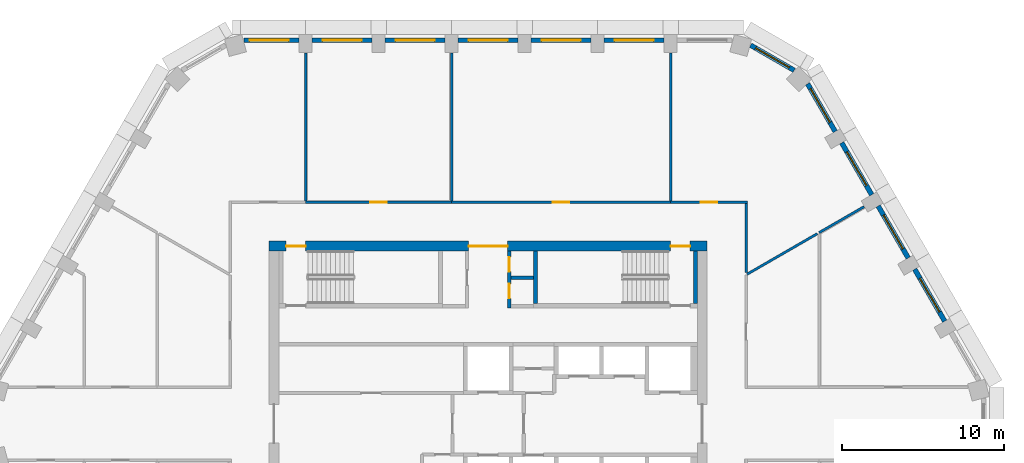
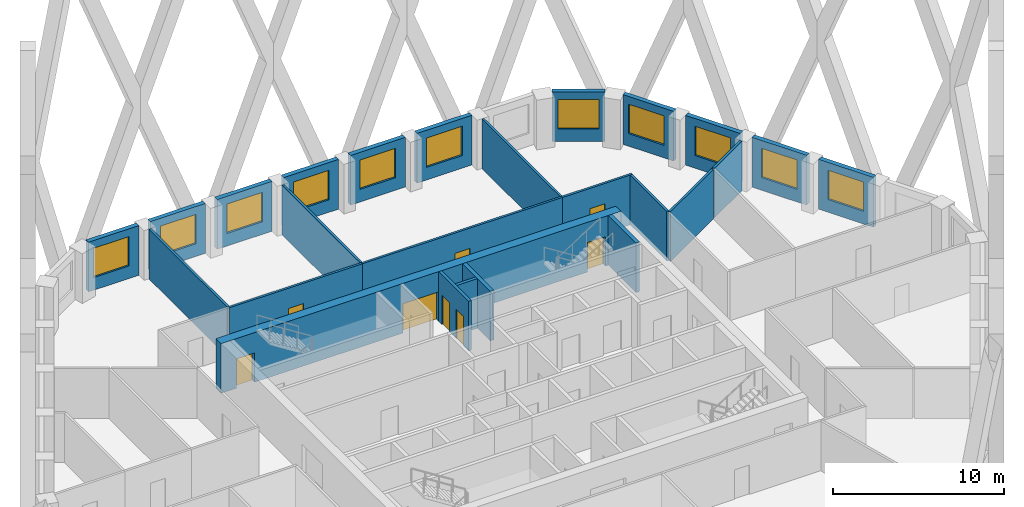
# One storey, part 6 of 15: 25 walls, 11 windows, 8 doors, 19 openings.
"""IFC4 building model written with IfcOpenShell, lengths in metres."""

import ifcopenshell
import ifcopenshell.guid

model = None  # the IFC model being written
_history = None  # IfcOwnerHistory: only IFC2X3 demands one
_inside = {}  # id of a spatial element -> (the spatial element, [elements in it])
_under = {}  # id of a project, library or spatial element -> (it, [spatial elements below it])
_declared = {}  # id of a project -> (the project, [libraries it declares])
_typed = {}  # id of a type object -> (the type object, [elements of that type])
_made_of = {}  # id of a material, layer set ... -> (it, [elements and type objects made of it])


def new_model(schema):
    """Start an empty IFC model of exactly this schema.

    Asked for "IFC4X3", IfcOpenShell would pick the latest addendum, in which some entities
    have other attributes; the version numbers below select the first issue.
    IFC2X3 requires an IfcOwnerHistory on every rooted entity: one is made here for all.
    """
    global model, _history
    if schema == "IFC4X3":
        model = ifcopenshell.file(schema_version=(4, 3, 0, 0))
    else:
        model = ifcopenshell.file(schema=schema)
    _inside.clear()
    _under.clear()
    _declared.clear()
    _typed.clear()
    _made_of.clear()
    _history = None
    if model.schema == "IFC2X3":
        org = make("IfcOrganization", Name="unknown")
        user = make(
            "IfcPersonAndOrganization",
            ThePerson=make("IfcPerson", FamilyName="unknown"),
            TheOrganization=org,
        )
        app = make(
            "IfcApplication",
            ApplicationDeveloper=org,
            Version="unknown",
            ApplicationFullName="unknown",
            ApplicationIdentifier="unknown",
        )
        _history = make(
            "IfcOwnerHistory",
            OwningUser=user,
            OwningApplication=app,
            ChangeAction="ADDED",
            CreationDate=0,
        )
    return model


def make(cls, **values):
    """One entity of the class cls with the attributes given. An attribute that is None is left unset."""
    return model.create_entity(
        cls, **{name: value for name, value in values.items() if value is not None}
    )


def rooted(cls, **values):
    """An entity with a GlobalId (a new one), such as an element, a storey or a relation."""
    return make(cls, GlobalId=ifcopenshell.guid.new(), OwnerHistory=_history, **values)


def si_unit(unit_type, name, prefix=None):
    """IfcSIUnit, for example si_unit("LENGTHUNIT", "METRE", prefix="MILLI")."""
    return make("IfcSIUnit", UnitType=unit_type, Prefix=prefix, Name=name)


def assignment(units):
    """IfcUnitAssignment: the units of a project."""
    return None if units is None else make("IfcUnitAssignment", Units=units)


def point(xyz):
    """IfcCartesianPoint."""
    return None if xyz is None else make("IfcCartesianPoint", Coordinates=xyz)


def direction(xyz):
    """IfcDirection."""
    return None if xyz is None else make("IfcDirection", DirectionRatios=xyz)


def frame(location, z_axis=None, x_axis=None):
    """IfcAxis2Placement3D, a coordinate frame: its origin and axes. An axis left out is left unset."""
    return make(
        "IfcAxis2Placement3D",
        Location=point(location),
        Axis=direction(z_axis),
        RefDirection=direction(x_axis),
    )


def frame_2d(location, x_axis=None):
    """IfcAxis2Placement2D, a coordinate frame in the plane: its origin and x axis."""
    return make(
        "IfcAxis2Placement2D", Location=point(location), RefDirection=direction(x_axis)
    )


def origin():
    """The frame at (0, 0, 0) with its axes left unset."""
    return frame((0.0, 0.0, 0.0))


def place(relative_to, where):
    """IfcLocalPlacement: puts the frame where relative to a parent placement (None: the world)."""
    return make(
        "IfcLocalPlacement", PlacementRelTo=relative_to, RelativePlacement=where
    )


def context(
    kind, dimensions, precision=None, world=None, true_north=None, identifier=None
):
    """IfcGeometricRepresentationContext, for example the 3D "Model" context."""
    return make(
        "IfcGeometricRepresentationContext",
        ContextIdentifier=identifier,
        ContextType=kind,
        CoordinateSpaceDimension=dimensions,
        Precision=precision,
        WorldCoordinateSystem=world,
        TrueNorth=true_north,
    )


def subcontext(parent, identifier, kind, view, scale=None):
    """IfcGeometricRepresentationSubContext, for example "Body" below "Model"."""
    return make(
        "IfcGeometricRepresentationSubContext",
        ContextIdentifier=identifier,
        ContextType=kind,
        ParentContext=parent,
        TargetScale=scale,
        TargetView=view,
    )


def project(units=None, contexts=None):
    """IfcProject with its units and contexts."""
    return rooted(
        "IfcProject",
        Name="project",
        RepresentationContexts=contexts,
        UnitsInContext=assignment(units),
    )


def spatial(cls, under=None, at=None, **own):
    """A site, building, storey or space (cls), placed at a placement, below another one or the project."""
    s = rooted(cls, ObjectPlacement=at, **own)
    if under is not None:
        _under.setdefault(under.id(), (under, []))[1].append(s)
    return s


def profile(cls, at=None, kind="AREA", **sizes):
    """A parametric profile (cls). Its sizes go by their IFC names, for example OverallWidth=200.0."""
    return make(cls, ProfileType=kind, Position=at, **sizes)


def rectangle(**sizes):
    """IfcRectangleProfileDef."""
    return profile("IfcRectangleProfileDef", **sizes)


def extrude(swept, where, along, depth):
    """IfcExtrudedAreaSolid: the profile swept, set in the frame where, extruded along a direction by depth."""
    return make(
        "IfcExtrudedAreaSolid",
        SweptArea=swept,
        Position=where,
        ExtrudedDirection=direction(along),
        Depth=depth,
    )


def shape(context_of_items, identifier, shape_type, items):
    """IfcShapeRepresentation: the items that make up one representation, for example the "Body"."""
    return make(
        "IfcShapeRepresentation",
        ContextOfItems=context_of_items,
        RepresentationIdentifier=identifier,
        RepresentationType=shape_type,
        Items=items,
    )


def material(Name=None, Category=None):
    """IfcMaterial."""
    return make("IfcMaterial", Name=Name, Category=Category)


def layer(
    of_material, thickness, ventilated=None, Name=None, Category=None, Priority=None
):
    """IfcMaterialLayer: one layer of a wall or slab, of a material (None: an air gap)."""
    return make(
        "IfcMaterialLayer",
        Material=of_material,
        LayerThickness=thickness,
        IsVentilated=ventilated,
        Name=Name,
        Category=Category,
        Priority=Priority,
    )


def layer_set(layers, Name=None):
    """IfcMaterialLayerSet."""
    return make("IfcMaterialLayerSet", MaterialLayers=layers, LayerSetName=Name)


def made_of(thing, what):
    """Note that an element or type object is made of a material, layer set ...; save() writes the relation."""
    if what is not None:
        _made_of.setdefault(what.id(), (what, []))[1].append(thing)
    return thing


def type_object(cls, material=None, **own):
    """A type object (cls), such as IfcWallType, which elements share."""
    return made_of(rooted(cls, **own), material)


def element(
    cls,
    number,
    at=None,
    inside=None,
    cuts=None,
    type_object=None,
    material=None,
    context=None,
    identifier="Body",
    shape_type=None,
    held_by="IfcProductDefinitionShape",
    body=None,
    shapes=None,
    **own,
):
    """One element of the class cls, such as IfcWall. Its Tag is "e" and its number.

    at: its placement. inside: the storey or other place that contains it. cuts: it is an
    opening in that element (IfcRelVoidsElement). A single representation is given by context,
    identifier, shape_type and body (its items); several are given by shapes. held_by: the class
    of the entity that holds the representations. save() writes the other relations.
    """
    e = rooted(cls, Tag="e%d" % number, ObjectPlacement=at, **own)
    if body is not None:
        shapes = [shape(context, identifier, shape_type, body)]
    if shapes is not None:
        e.Representation = make(held_by, Representations=shapes)
    if inside is not None:
        _inside.setdefault(inside.id(), (inside, []))[1].append(e)
    if cuts is not None:
        rooted(
            "IfcRelVoidsElement", RelatingBuildingElement=cuts, RelatedOpeningElement=e
        )
    if type_object is not None:
        _typed.setdefault(type_object.id(), (type_object, []))[1].append(e)
    return made_of(e, material)


def fill(opening, filler):
    """IfcRelFillsElement: the door or window that sits in an opening."""
    return rooted(
        "IfcRelFillsElement",
        RelatingOpeningElement=opening,
        RelatedBuildingElement=filler,
    )


def aggregate(whole, parts):
    """IfcRelAggregates: a whole, such as a stair, and the parts it consists of."""
    return rooted("IfcRelAggregates", RelatingObject=whole, RelatedObjects=parts)


def save(model, path):
    """Write the relations noted so far, then the file.

    IfcRelAggregates (storeys below a building ...), IfcRelContainedInSpatialStructure (elements
    in a storey), IfcRelDefinesByType, IfcRelAssociatesMaterial and IfcRelDeclares: one each for
    every whole, place, type object, material and project.
    """
    for whole, parts in _under.values():
        aggregate(whole, parts)
    for where, things in _inside.values():
        rooted(
            "IfcRelContainedInSpatialStructure",
            RelatedElements=things,
            RelatingStructure=where,
        )
    for kind, things in _typed.values():
        rooted("IfcRelDefinesByType", RelatedObjects=things, RelatingType=kind)
    for what, things in _made_of.values():
        rooted("IfcRelAssociatesMaterial", RelatedObjects=things, RelatingMaterial=what)
    for by, libraries in _declared.values():
        rooted("IfcRelDeclares", RelatingContext=by, RelatedDefinitions=libraries)
    model.write(path)


model = new_model("IFC4")

# Units and contexts
model_context = context("Model", 3, precision=1e-05, world=origin(), true_north=direction((0.0, 1.0)))
body_context = subcontext(model_context, "Body", "Model", "MODEL_VIEW")
ifc_project = project(units=[si_unit("LENGTHUNIT", "METRE"), si_unit("AREAUNIT", "SQUARE_METRE"), si_unit("VOLUMEUNIT", "CUBIC_METRE"), si_unit("PLANEANGLEUNIT", "RADIAN"), si_unit("MASSUNIT", "GRAM", prefix="KILO")], contexts=[model_context])

# Site, building, storey
site_placement = place(None, origin())
site = spatial("IfcSite", under=ifc_project, at=site_placement, CompositionType="ELEMENT")
building_placement = place(site_placement, origin())
building = spatial("IfcBuilding", under=site, at=building_placement, Name="Dhurran Vertical Campus", CompositionType="ELEMENT")
storey_placement = place(building_placement, frame((0.0, 0.0, 207.300048828125)))
storey = spatial("IfcBuildingStorey", under=building, at=storey_placement, Name="L51", CompositionType="ELEMENT", Elevation=207.300048828125)

# Wall, opening, window
ifc_material_1 = material(Name="Precast concrete C50/60", Category="concrete")
ifc_layer_1 = layer(ifc_material_1, 0.300048828125)
ifc_layer_set_1 = layer_set([ifc_layer_1], Name="Precast concrete C50/60")
wall_type_1 = type_object("IfcWallType", Name="Precast spandrel wall 300", PredefinedType="SOLIDWALL", material=ifc_layer_set_1)
wall_1_placement = place(storey_placement, frame((28.143798828125, 6.319091796875, 0.0), z_axis=(0.0, 0.0, 1.0), x_axis=(-0.500029062817, 0.866008623709, 0.0)))
wall_1 = element("IfcWall", 1, at=wall_1_placement, inside=storey, type_object=wall_type_1, Name="EW1 L51.15", PredefinedType="SOLIDWALL", context=body_context, shape_type="SweptSolid", body=[
    extrude(rectangle(XDim=3.698974609375, YDim=0.300048828125, at=frame_2d((1.849609375, 0.0))), origin(), (0.0, 0.0, 1.0), 3.550048828125),
])
opening_1_placement = place(wall_1_placement, frame((0.6494140625, 0.0, 0.89990234375)))
opening_1 = element("IfcOpeningElement", 2, at=opening_1_placement, cuts=wall_1, Name="Opening WT1", PredefinedType="OPENING", context=body_context, shape_type="SweptSolid", body=[
    extrude(rectangle(XDim=2.39990234375, YDim=2.10009765625, at=frame_2d((1.199951171875, 1.050048828125))), frame((0.0, 0.159912109375, 0.0), z_axis=(0.0, -1.0, 0.0), x_axis=(1.0, 0.0, 0.0)), (0.0, 0.0, 1.0), 0.320068359375),
])
ifc_material_2 = material(Name="Aluminium frame with solar-control glass", Category="aluminium")
window_type = type_object("IfcWindowType", Name="Punched window 2400 x 2100", PartitioningType="SINGLE_PANEL", PredefinedType="WINDOW", material=ifc_material_2)
window_1_placement = place(opening_1_placement, origin())
window_1 = element("IfcWindow", 3, at=window_1_placement, inside=storey, type_object=window_type, Name="WT1 L51.15", OverallHeight=2.10009765625, OverallWidth=2.39990234375, PartitioningType="SINGLE_PANEL", PredefinedType="WINDOW", context=body_context, shape_type="SweptSolid", body=[
    extrude(rectangle(XDim=2.39990234375, YDim=2.10009765625, at=frame_2d((1.199951171875, 1.050048828125))), frame((0.0, 0.030029296875, 0.0), z_axis=(0.0, -1.0, 0.0), x_axis=(1.0, 0.0, 0.0)), (0.0, 0.0, 1.0), 0.06005859375),
])
fill(opening_1, window_1)

wall_2_placement = place(storey_placement, frame((25.893798828125, 10.216064453125, 0.0), z_axis=(0.0, 0.0, 1.0), x_axis=(-0.500029062817, 0.866008623709, 0.0)))
wall_2 = element("IfcWall", 4, at=wall_2_placement, inside=storey, type_object=wall_type_1, Name="EW1 L51.16", PredefinedType="SOLIDWALL", context=body_context, shape_type="SweptSolid", body=[
    extrude(rectangle(XDim=3.698974609375, YDim=0.300048828125, at=frame_2d((1.849609375, 0.0))), origin(), (0.0, 0.0, 1.0), 3.550048828125),
])
opening_2_placement = place(wall_2_placement, frame((0.6494140625, 0.0, 0.89990234375)))
opening_2 = element("IfcOpeningElement", 5, at=opening_2_placement, cuts=wall_2, Name="Opening WT1", PredefinedType="OPENING", context=body_context, shape_type="SweptSolid", body=[
    extrude(rectangle(XDim=2.39990234375, YDim=2.10009765625, at=frame_2d((1.199951171875, 1.050048828125))), frame((0.0, 0.159912109375, 0.0), z_axis=(0.0, -1.0, 0.0), x_axis=(1.0, 0.0, 0.0)), (0.0, 0.0, 1.0), 0.320068359375),
])
window_2_placement = place(opening_2_placement, origin())
window_2 = element("IfcWindow", 6, at=window_2_placement, inside=storey, type_object=window_type, Name="WT1 L51.16", OverallHeight=2.10009765625, OverallWidth=2.39990234375, PartitioningType="SINGLE_PANEL", PredefinedType="WINDOW", context=body_context, shape_type="SweptSolid", body=[
    extrude(rectangle(XDim=2.39990234375, YDim=2.10009765625, at=frame_2d((1.199951171875, 1.050048828125))), frame((0.0, 0.030029296875, 0.0), z_axis=(0.0, -1.0, 0.0), x_axis=(1.0, 0.0, 0.0)), (0.0, 0.0, 1.0), 0.06005859375),
])
fill(opening_2, window_2)

wall_3_placement = place(storey_placement, frame((23.643798828125, 14.11328125, 0.0), z_axis=(0.0, 0.0, 1.0), x_axis=(-0.500029062817, 0.866008623709, 0.0)))
wall_3 = element("IfcWall", 7, at=wall_3_placement, inside=storey, type_object=wall_type_1, Name="EW1 L51.17", PredefinedType="SOLIDWALL", context=body_context, shape_type="SweptSolid", body=[
    extrude(rectangle(XDim=3.698974609375, YDim=0.300048828125, at=frame_2d((1.849609375, 0.0))), origin(), (0.0, 0.0, 1.0), 3.550048828125),
])
opening_3_placement = place(wall_3_placement, frame((0.6494140625, 0.0, 0.89990234375)))
opening_3 = element("IfcOpeningElement", 8, at=opening_3_placement, cuts=wall_3, Name="Opening WT1", PredefinedType="OPENING", context=body_context, shape_type="SweptSolid", body=[
    extrude(rectangle(XDim=2.39990234375, YDim=2.10009765625, at=frame_2d((1.199951171875, 1.050048828125))), frame((0.0, 0.159912109375, 0.0), z_axis=(0.0, -1.0, 0.0), x_axis=(1.0, 0.0, 0.0)), (0.0, 0.0, 1.0), 0.320068359375),
])
window_3_placement = place(opening_3_placement, origin())
window_3 = element("IfcWindow", 9, at=window_3_placement, inside=storey, type_object=window_type, Name="WT1 L51.17", OverallHeight=2.10009765625, OverallWidth=2.39990234375, PartitioningType="SINGLE_PANEL", PredefinedType="WINDOW", context=body_context, shape_type="SweptSolid", body=[
    extrude(rectangle(XDim=2.39990234375, YDim=2.10009765625, at=frame_2d((1.199951171875, 1.050048828125))), frame((0.0, 0.030029296875, 0.0), z_axis=(0.0, -1.0, 0.0), x_axis=(1.0, 0.0, 0.0)), (0.0, 0.0, 1.0), 0.06005859375),
])
fill(opening_3, window_3)

wall_4_placement = place(storey_placement, frame((21.393798828125, 18.01025390625, 0.0), z_axis=(0.0, 0.0, 1.0), x_axis=(-0.500012868213, 0.866017974191, 0.0)))
wall_4 = element("IfcWall", 10, at=wall_4_placement, inside=storey, type_object=wall_type_1, Name="EW1 L51.18", PredefinedType="SOLIDWALL", context=body_context, shape_type="SweptSolid", body=[
    extrude(rectangle(XDim=3.39599609375, YDim=0.300048828125, at=frame_2d((1.697998046875, 0.0))), origin(), (0.0, 0.0, 1.0), 3.550048828125),
])
opening_4_placement = place(wall_4_placement, frame((0.6494140625, 0.0, 0.89990234375)))
opening_4 = element("IfcOpeningElement", 11, at=opening_4_placement, cuts=wall_4, Name="Opening WT1", PredefinedType="OPENING", context=body_context, shape_type="SweptSolid", body=[
    extrude(rectangle(XDim=2.39990234375, YDim=2.10009765625, at=frame_2d((1.199951171875, 1.050048828125))), frame((0.0, 0.159912109375, 0.0), z_axis=(0.0, -1.0, 0.0), x_axis=(1.0, 0.0, 0.0)), (0.0, 0.0, 1.0), 0.320068359375),
])
window_4_placement = place(opening_4_placement, origin())
window_4 = element("IfcWindow", 12, at=window_4_placement, inside=storey, type_object=window_type, Name="WT1 L51.18", OverallHeight=2.10009765625, OverallWidth=2.39990234375, PartitioningType="SINGLE_PANEL", PredefinedType="WINDOW", context=body_context, shape_type="SweptSolid", body=[
    extrude(rectangle(XDim=2.39990234375, YDim=2.10009765625, at=frame_2d((1.199951171875, 1.050048828125))), frame((0.0, 0.030029296875, 0.0), z_axis=(0.0, -1.0, 0.0), x_axis=(1.0, 0.0, 0.0)), (0.0, 0.0, 1.0), 0.06005859375),
])
fill(opening_4, window_4)

wall_5_placement = place(storey_placement, frame((18.86279296875, 21.7841796875, 0.0), z_axis=(0.0, 0.0, 1.0), x_axis=(-0.865994975416, 0.500052699777, 0.0)))
wall_5 = element("IfcWall", 13, at=wall_5_placement, inside=storey, type_object=wall_type_1, Name="EW1 L51.19", PredefinedType="SOLIDWALL", context=body_context, shape_type="SweptSolid", body=[
    extrude(rectangle(XDim=3.093017578125, YDim=0.300048828125, at=frame_2d((1.54638671875, 0.0))), origin(), (0.0, 0.0, 1.0), 3.550048828125),
])
opening_5_placement = place(wall_5_placement, frame((0.34619140625, 0.0, 0.89990234375)))
opening_5 = element("IfcOpeningElement", 14, at=opening_5_placement, cuts=wall_5, Name="Opening WT1", PredefinedType="OPENING", context=body_context, shape_type="SweptSolid", body=[
    extrude(rectangle(XDim=2.39990234375, YDim=2.10009765625, at=frame_2d((1.199951171875, 1.050048828125))), frame((0.0, 0.159912109375, 0.0), z_axis=(0.0, -1.0, 0.0), x_axis=(1.0, 0.0, 0.0)), (0.0, 0.0, 1.0), 0.320068359375),
])
window_5_placement = place(opening_5_placement, origin())
window_5 = element("IfcWindow", 15, at=window_5_placement, inside=storey, type_object=window_type, Name="WT1 L51.19", OverallHeight=2.10009765625, OverallWidth=2.39990234375, PartitioningType="SINGLE_PANEL", PredefinedType="WINDOW", context=body_context, shape_type="SweptSolid", body=[
    extrude(rectangle(XDim=2.39990234375, YDim=2.10009765625, at=frame_2d((1.199951171875, 1.050048828125))), frame((0.0, 0.030029296875, 0.0), z_axis=(0.0, -1.0, 0.0), x_axis=(1.0, 0.0, 0.0)), (0.0, 0.0, 1.0), 0.06005859375),
])
fill(opening_5, window_5)

wall_6_placement = place(storey_placement, frame((10.849609375, 23.635498046875, 0.0), z_axis=(0.0, 0.0, 1.0), x_axis=(-1.0, 0.0, 0.0)))
wall_6 = element("IfcWall", 16, at=wall_6_placement, inside=storey, type_object=wall_type_1, Name="EW1 L51.21", PredefinedType="SOLIDWALL", context=body_context, shape_type="SweptSolid", body=[
    extrude(rectangle(XDim=3.69921875, YDim=0.300048828125, at=frame_2d((1.849609375, 0.0))), origin(), (0.0, 0.0, 1.0), 3.550048828125),
])
opening_6_placement = place(wall_6_placement, frame((0.6494140625, 0.0, 0.89990234375)))
opening_6 = element("IfcOpeningElement", 17, at=opening_6_placement, cuts=wall_6, Name="Opening WT1", PredefinedType="OPENING", context=body_context, shape_type="SweptSolid", body=[
    extrude(rectangle(XDim=2.39990234375, YDim=2.10009765625, at=frame_2d((1.199951171875, 1.050048828125))), frame((0.0, 0.159912109375, 0.0), z_axis=(0.0, -1.0, 0.0), x_axis=(1.0, 0.0, 0.0)), (0.0, 0.0, 1.0), 0.320068359375),
])
window_6_placement = place(opening_6_placement, origin())
window_6 = element("IfcWindow", 18, at=window_6_placement, inside=storey, type_object=window_type, Name="WT1 L51.21", OverallHeight=2.10009765625, OverallWidth=2.39990234375, PartitioningType="SINGLE_PANEL", PredefinedType="WINDOW", context=body_context, shape_type="SweptSolid", body=[
    extrude(rectangle(XDim=2.39990234375, YDim=2.10009765625, at=frame_2d((1.199951171875, 1.050048828125))), frame((0.0, 0.030029296875, 0.0), z_axis=(0.0, -1.0, 0.0), x_axis=(1.0, 0.0, 0.0)), (0.0, 0.0, 1.0), 0.06005859375),
])
fill(opening_6, window_6)

wall_7_placement = place(storey_placement, frame((6.349609375, 23.635498046875, 0.0), z_axis=(0.0, 0.0, 1.0), x_axis=(-1.0, 0.0, 0.0)))
wall_7 = element("IfcWall", 19, at=wall_7_placement, inside=storey, type_object=wall_type_1, Name="EW1 L51.22", PredefinedType="SOLIDWALL", context=body_context, shape_type="SweptSolid", body=[
    extrude(rectangle(XDim=3.69921875, YDim=0.300048828125, at=frame_2d((1.849609375, 0.0))), origin(), (0.0, 0.0, 1.0), 3.550048828125),
])
opening_7_placement = place(wall_7_placement, frame((0.6494140625, 0.0, 0.89990234375)))
opening_7 = element("IfcOpeningElement", 20, at=opening_7_placement, cuts=wall_7, Name="Opening WT1", PredefinedType="OPENING", context=body_context, shape_type="SweptSolid", body=[
    extrude(rectangle(XDim=2.39990234375, YDim=2.10009765625, at=frame_2d((1.199951171875, 1.050048828125))), frame((0.0, 0.159912109375, 0.0), z_axis=(0.0, -1.0, 0.0), x_axis=(1.0, 0.0, 0.0)), (0.0, 0.0, 1.0), 0.320068359375),
])
window_7_placement = place(opening_7_placement, origin())
window_7 = element("IfcWindow", 21, at=window_7_placement, inside=storey, type_object=window_type, Name="WT1 L51.22", OverallHeight=2.10009765625, OverallWidth=2.39990234375, PartitioningType="SINGLE_PANEL", PredefinedType="WINDOW", context=body_context, shape_type="SweptSolid", body=[
    extrude(rectangle(XDim=2.39990234375, YDim=2.10009765625, at=frame_2d((1.199951171875, 1.050048828125))), frame((0.0, 0.030029296875, 0.0), z_axis=(0.0, -1.0, 0.0), x_axis=(1.0, 0.0, 0.0)), (0.0, 0.0, 1.0), 0.06005859375),
])
fill(opening_7, window_7)

wall_8_placement = place(storey_placement, frame((1.849609375, 23.635498046875, 0.0), z_axis=(0.0, 0.0, 1.0), x_axis=(-1.0, 0.0, 0.0)))
wall_8 = element("IfcWall", 22, at=wall_8_placement, inside=storey, type_object=wall_type_1, Name="EW1 L51.23", PredefinedType="SOLIDWALL", context=body_context, shape_type="SweptSolid", body=[
    extrude(rectangle(XDim=3.69921875, YDim=0.300048828125, at=frame_2d((1.849609375, 0.0))), origin(), (0.0, 0.0, 1.0), 3.550048828125),
])
opening_8_placement = place(wall_8_placement, frame((0.6494140625, 0.0, 0.89990234375)))
opening_8 = element("IfcOpeningElement", 23, at=opening_8_placement, cuts=wall_8, Name="Opening WT1", PredefinedType="OPENING", context=body_context, shape_type="SweptSolid", body=[
    extrude(rectangle(XDim=2.39990234375, YDim=2.10009765625, at=frame_2d((1.199951171875, 1.050048828125))), frame((0.0, 0.159912109375, 0.0), z_axis=(0.0, -1.0, 0.0), x_axis=(1.0, 0.0, 0.0)), (0.0, 0.0, 1.0), 0.320068359375),
])
window_8_placement = place(opening_8_placement, origin())
window_8 = element("IfcWindow", 24, at=window_8_placement, inside=storey, type_object=window_type, Name="WT1 L51.23", OverallHeight=2.10009765625, OverallWidth=2.39990234375, PartitioningType="SINGLE_PANEL", PredefinedType="WINDOW", context=body_context, shape_type="SweptSolid", body=[
    extrude(rectangle(XDim=2.39990234375, YDim=2.10009765625, at=frame_2d((1.199951171875, 1.050048828125))), frame((0.0, 0.030029296875, 0.0), z_axis=(0.0, -1.0, 0.0), x_axis=(1.0, 0.0, 0.0)), (0.0, 0.0, 1.0), 0.06005859375),
])
fill(opening_8, window_8)

wall_9_placement = place(storey_placement, frame((-2.650390625, 23.635498046875, 0.0), z_axis=(0.0, 0.0, 1.0), x_axis=(-1.0, 0.0, 0.0)))
wall_9 = element("IfcWall", 25, at=wall_9_placement, inside=storey, type_object=wall_type_1, Name="EW1 L51.24", PredefinedType="SOLIDWALL", context=body_context, shape_type="SweptSolid", body=[
    extrude(rectangle(XDim=3.69921875, YDim=0.300048828125, at=frame_2d((1.849609375, 0.0))), origin(), (0.0, 0.0, 1.0), 3.550048828125),
])
opening_9_placement = place(wall_9_placement, frame((0.6494140625, 0.0, 0.89990234375)))
opening_9 = element("IfcOpeningElement", 26, at=opening_9_placement, cuts=wall_9, Name="Opening WT1", PredefinedType="OPENING", context=body_context, shape_type="SweptSolid", body=[
    extrude(rectangle(XDim=2.39990234375, YDim=2.10009765625, at=frame_2d((1.199951171875, 1.050048828125))), frame((0.0, 0.159912109375, 0.0), z_axis=(0.0, -1.0, 0.0), x_axis=(1.0, 0.0, 0.0)), (0.0, 0.0, 1.0), 0.320068359375),
])
window_9_placement = place(opening_9_placement, origin())
window_9 = element("IfcWindow", 27, at=window_9_placement, inside=storey, type_object=window_type, Name="WT1 L51.24", OverallHeight=2.10009765625, OverallWidth=2.39990234375, PartitioningType="SINGLE_PANEL", PredefinedType="WINDOW", context=body_context, shape_type="SweptSolid", body=[
    extrude(rectangle(XDim=2.39990234375, YDim=2.10009765625, at=frame_2d((1.199951171875, 1.050048828125))), frame((0.0, 0.030029296875, 0.0), z_axis=(0.0, -1.0, 0.0), x_axis=(1.0, 0.0, 0.0)), (0.0, 0.0, 1.0), 0.06005859375),
])
fill(opening_9, window_9)

wall_10_placement = place(storey_placement, frame((-7.150390625, 23.635498046875, 0.0), z_axis=(0.0, 0.0, 1.0), x_axis=(-1.0, 0.0, 0.0)))
wall_10 = element("IfcWall", 28, at=wall_10_placement, inside=storey, type_object=wall_type_1, Name="EW1 L51.25", PredefinedType="SOLIDWALL", context=body_context, shape_type="SweptSolid", body=[
    extrude(rectangle(XDim=3.69921875, YDim=0.300048828125, at=frame_2d((1.849609375, 0.0))), origin(), (0.0, 0.0, 1.0), 3.550048828125),
])
opening_10_placement = place(wall_10_placement, frame((0.6494140625, 0.0, 0.89990234375)))
opening_10 = element("IfcOpeningElement", 29, at=opening_10_placement, cuts=wall_10, Name="Opening WT1", PredefinedType="OPENING", context=body_context, shape_type="SweptSolid", body=[
    extrude(rectangle(XDim=2.39990234375, YDim=2.10009765625, at=frame_2d((1.199951171875, 1.050048828125))), frame((0.0, 0.159912109375, 0.0), z_axis=(0.0, -1.0, 0.0), x_axis=(1.0, 0.0, 0.0)), (0.0, 0.0, 1.0), 0.320068359375),
])
window_10_placement = place(opening_10_placement, origin())
window_10 = element("IfcWindow", 30, at=window_10_placement, inside=storey, type_object=window_type, Name="WT1 L51.25", OverallHeight=2.10009765625, OverallWidth=2.39990234375, PartitioningType="SINGLE_PANEL", PredefinedType="WINDOW", context=body_context, shape_type="SweptSolid", body=[
    extrude(rectangle(XDim=2.39990234375, YDim=2.10009765625, at=frame_2d((1.199951171875, 1.050048828125))), frame((0.0, 0.030029296875, 0.0), z_axis=(0.0, -1.0, 0.0), x_axis=(1.0, 0.0, 0.0)), (0.0, 0.0, 1.0), 0.06005859375),
])
fill(opening_10, window_10)

wall_11_placement = place(storey_placement, frame((-11.650390625, 23.635498046875, 0.0), z_axis=(0.0, 0.0, 1.0), x_axis=(-1.0, 0.0, 0.0)))
wall_11 = element("IfcWall", 31, at=wall_11_placement, inside=storey, type_object=wall_type_1, Name="EW1 L51.26", PredefinedType="SOLIDWALL", context=body_context, shape_type="SweptSolid", body=[
    extrude(rectangle(XDim=3.39599609375, YDim=0.300048828125, at=frame_2d((1.697998046875, 0.0))), origin(), (0.0, 0.0, 1.0), 3.550048828125),
])
opening_11_placement = place(wall_11_placement, frame((0.6494140625, 0.0, 0.89990234375)))
opening_11 = element("IfcOpeningElement", 32, at=opening_11_placement, cuts=wall_11, Name="Opening WT1", PredefinedType="OPENING", context=body_context, shape_type="SweptSolid", body=[
    extrude(rectangle(XDim=2.39990234375, YDim=2.10009765625, at=frame_2d((1.199951171875, 1.050048828125))), frame((0.0, 0.159912109375, 0.0), z_axis=(0.0, -1.0, 0.0), x_axis=(1.0, 0.0, 0.0)), (0.0, 0.0, 1.0), 0.320068359375),
])
window_11_placement = place(opening_11_placement, origin())
window_11 = element("IfcWindow", 33, at=window_11_placement, inside=storey, type_object=window_type, Name="WT1 L51.26", OverallHeight=2.10009765625, OverallWidth=2.39990234375, PartitioningType="SINGLE_PANEL", PredefinedType="WINDOW", context=body_context, shape_type="SweptSolid", body=[
    extrude(rectangle(XDim=2.39990234375, YDim=2.10009765625, at=frame_2d((1.199951171875, 1.050048828125))), frame((0.0, 0.030029296875, 0.0), z_axis=(0.0, -1.0, 0.0), x_axis=(1.0, 0.0, 0.0)), (0.0, 0.0, 1.0), 0.06005859375),
])
fill(opening_11, window_11)

# Wall, openings, doors
ifc_material_3 = material(Name="Concrete C50/60", Category="concrete")
ifc_layer_2 = layer(ifc_material_3, 0.60009765625)
ifc_layer_set_2 = layer_set([ifc_layer_2], Name="Concrete C50/60")
wall_type_2 = type_object("IfcWallType", Name="co-CORE-WALL-C2-600", PredefinedType="SHEAR", material=ifc_layer_set_2)
wall_12_placement = place(storey_placement, frame((-13.5, 10.949951171875, 0.0), z_axis=(0.0, 0.0, 1.0), x_axis=(1.0, 0.0, 0.0)))
wall_12 = element("IfcWall", 34, at=wall_12_placement, inside=storey, type_object=wall_type_2, Name="Core wall N L51", PredefinedType="SHEAR", context=body_context, shape_type="SweptSolid", body=[
    extrude(rectangle(XDim=27.0, YDim=0.60009765625, at=frame_2d((13.5, 0.0))), origin(), (0.0, 0.0, 1.0), 3.550048828125),
])
opening_12_placement = place(wall_12_placement, frame((12.300048828125, 0.0, 0.0)))
opening_12 = element("IfcOpeningElement", 35, at=opening_12_placement, cuts=wall_12, Name="Opening CV1", PredefinedType="OPENING", context=body_context, shape_type="SweptSolid", body=[
    extrude(rectangle(XDim=2.39990234375, YDim=2.10009765625, at=frame_2d((1.199951171875, 1.050048828125))), frame((0.0, 0.31005859375, 0.0), z_axis=(0.0, -1.0, 0.0), x_axis=(1.0, 0.0, 0.0)), (0.0, 0.0, 1.0), 0.6201171875),
])
opening_13_placement = place(wall_12_placement, frame((1.050048828125, 0.0, 0.0)))
opening_13 = element("IfcOpeningElement", 36, at=opening_13_placement, cuts=wall_12, Name="Opening XD1", PredefinedType="OPENING", context=body_context, shape_type="SweptSolid", body=[
    extrude(rectangle(XDim=1.199951171875, YDim=2.10009765625, at=frame_2d((0.60009765625, 1.050048828125))), frame((0.0, 0.31005859375, 0.0), z_axis=(0.0, -1.0, 0.0), x_axis=(1.0, 0.0, 0.0)), (0.0, 0.0, 1.0), 0.6201171875),
])
opening_14_placement = place(wall_12_placement, frame((24.75, 0.0, 0.0)))
opening_14 = element("IfcOpeningElement", 37, at=opening_14_placement, cuts=wall_12, Name="Opening XD2", PredefinedType="OPENING", context=body_context, shape_type="SweptSolid", body=[
    extrude(rectangle(XDim=1.199951171875, YDim=2.10009765625, at=frame_2d((0.60009765625, 1.050048828125))), frame((0.0, 0.31005859375, 0.0), z_axis=(0.0, -1.0, 0.0), x_axis=(1.0, 0.0, 0.0)), (0.0, 0.0, 1.0), 0.6201171875),
])
ifc_material_4 = material(Name="Fire-rated glazed door set")
door_type_1 = type_object("IfcDoorType", Name="co-D-LOBBY 2400x2100", OperationType="DOUBLE_DOOR_DOUBLE_SWING", PredefinedType="DOOR", material=ifc_material_4)
door_1_placement = place(opening_12_placement, origin())
door_1 = element("IfcDoor", 38, at=door_1_placement, inside=storey, type_object=door_type_1, Name="Core vestibule door N L51", OperationType="DOUBLE_DOOR_DOUBLE_SWING", OverallHeight=2.10009765625, OverallWidth=2.39990234375, PredefinedType="DOOR", context=body_context, shape_type="SweptSolid", body=[
    extrude(rectangle(XDim=2.39990234375, YDim=2.10009765625, at=frame_2d((1.199951171875, 1.050048828125))), frame((0.0, 0.02490234375, 0.0), z_axis=(0.0, -1.0, 0.0), x_axis=(1.0, 0.0, 0.0)), (0.0, 0.0, 1.0), 0.050048828125),
])
fill(opening_12, door_1)
ifc_material_5 = material(Name="Fire-rated steel door set", Category="steel")
door_type_2 = type_object("IfcDoorType", Name="co-D-STAIR-EXIT 1200x2100", OperationType="SINGLE_SWING_RIGHT", PredefinedType="DOOR", material=ifc_material_5)
door_2_placement = place(opening_13_placement, origin())
door_2 = element("IfcDoor", 39, at=door_2_placement, inside=storey, type_object=door_type_2, Name="Stair ST1 exit door L51", OperationType="SINGLE_SWING_RIGHT", OverallHeight=2.10009765625, OverallWidth=1.199951171875, PredefinedType="DOOR", context=body_context, shape_type="SweptSolid", body=[
    extrude(rectangle(XDim=1.199951171875, YDim=2.10009765625, at=frame_2d((0.60009765625, 1.050048828125))), frame((0.0, 0.02490234375, 0.0), z_axis=(0.0, -1.0, 0.0), x_axis=(1.0, 0.0, 0.0)), (0.0, 0.0, 1.0), 0.050048828125),
])
fill(opening_13, door_2)
door_3_placement = place(opening_14_placement, origin())
door_3 = element("IfcDoor", 40, at=door_3_placement, inside=storey, type_object=door_type_2, Name="Stair ST2 exit door L51", OperationType="SINGLE_SWING_RIGHT", OverallHeight=2.10009765625, OverallWidth=1.199951171875, PredefinedType="DOOR", context=body_context, shape_type="SweptSolid", body=[
    extrude(rectangle(XDim=1.199951171875, YDim=2.10009765625, at=frame_2d((0.60009765625, 1.050048828125))), frame((0.0, 0.02490234375, 0.0), z_axis=(0.0, -1.0, 0.0), x_axis=(1.0, 0.0, 0.0)), (0.0, 0.0, 1.0), 0.050048828125),
])
fill(opening_14, door_3)

# Wall
ifc_material_6 = material(Name="Fire-rated masonry blockwork", Category="masonry")
ifc_layer_3 = layer(ifc_material_6, 0.199951171875)
ifc_layer_set_3 = layer_set([ifc_layer_3], Name="Fire-rated masonry blockwork")
wall_type_3 = type_object("IfcWallType", Name="co-FIRE-PARTITION-200", PredefinedType="PARTITIONING", material=ifc_layer_set_3)
wall_13_placement = place(storey_placement, frame((1.39990234375, 9.0, 0.0), z_axis=(0.0, 0.0, 1.0), x_axis=(1.0, 0.0, 0.0)))
element("IfcWall", 41, at=wall_13_placement, inside=storey, type_object=wall_type_3, Name="Core partition sl-NE-cut0 L51", PredefinedType="PARTITIONING", context=body_context, shape_type="SweptSolid", body=[
    extrude(rectangle(XDim=1.400146484375, YDim=0.199951171875, at=frame_2d((0.7001953125, 0.0))), origin(), (0.0, 0.0, 1.0), 3.550048828125),
])

# Wall, openings, doors
wall_14_placement = place(storey_placement, frame((1.300048828125, 7.14990234375, 0.0), z_axis=(0.0, 0.0, 1.0), x_axis=(0.0, 1.0, 0.0)))
wall_14 = element("IfcWall", 42, at=wall_14_placement, inside=storey, type_object=wall_type_3, Name="Core partition vest-NE L51", PredefinedType="PARTITIONING", context=body_context, shape_type="SweptSolid", body=[
    extrude(rectangle(XDim=3.5, YDim=0.199951171875, at=frame_2d((1.75, 0.0))), origin(), (0.0, 0.0, 1.0), 3.550048828125),
])
opening_15_placement = place(wall_14_placement, frame((0.574951171875, 0.0, 0.0)))
opening_15 = element("IfcOpeningElement", 43, at=opening_15_placement, cuts=wall_14, Name="Opening T15-C4", PredefinedType="OPENING", context=body_context, shape_type="SweptSolid", body=[
    extrude(rectangle(XDim=0.89990234375, YDim=2.10009765625, at=frame_2d((0.449951171875, 1.050048828125))), frame((0.0, 0.10986328125, 0.0), z_axis=(0.0, -1.0, 0.0), x_axis=(1.0, 0.0, 0.0)), (0.0, 0.0, 1.0), 0.219970703125),
])
opening_16_placement = place(wall_14_placement, frame((2.22509765625, 0.0, 0.0)))
opening_16 = element("IfcOpeningElement", 44, at=opening_16_placement, cuts=wall_14, Name="Opening T15-C5", PredefinedType="OPENING", context=body_context, shape_type="SweptSolid", body=[
    extrude(rectangle(XDim=0.89990234375, YDim=2.10009765625, at=frame_2d((0.449951171875, 1.050048828125))), frame((0.0, 0.10986328125, 0.0), z_axis=(0.0, -1.0, 0.0), x_axis=(1.0, 0.0, 0.0)), (0.0, 0.0, 1.0), 0.219970703125),
])
ifc_material_7 = material(Name="Fire-rated timber door set", Category="wood")
door_type_3 = type_object("IfcDoorType", Name="co-D-ROOM 900x2100", OperationType="SINGLE_SWING_LEFT", PredefinedType="DOOR", material=ifc_material_7)
door_4_placement = place(opening_15_placement, origin())
door_4 = element("IfcDoor", 45, at=door_4_placement, inside=storey, type_object=door_type_3, Name="Pantry door L51", OperationType="SINGLE_SWING_LEFT", OverallHeight=2.10009765625, OverallWidth=0.89990234375, PredefinedType="DOOR", context=body_context, shape_type="SweptSolid", body=[
    extrude(rectangle(XDim=0.89990234375, YDim=2.10009765625, at=frame_2d((0.449951171875, 1.050048828125))), frame((0.0, 0.02490234375, 0.0), z_axis=(0.0, -1.0, 0.0), x_axis=(1.0, 0.0, 0.0)), (0.0, 0.0, 1.0), 0.050048828125),
])
fill(opening_15, door_4)
door_5_placement = place(opening_16_placement, origin())
door_5 = element("IfcDoor", 46, at=door_5_placement, inside=storey, type_object=door_type_3, Name="Water riser door L51", OperationType="SINGLE_SWING_LEFT", OverallHeight=2.10009765625, OverallWidth=0.89990234375, PredefinedType="DOOR", context=body_context, shape_type="SweptSolid", body=[
    extrude(rectangle(XDim=0.89990234375, YDim=2.10009765625, at=frame_2d((0.449951171875, 1.050048828125))), frame((0.0, 0.02490234375, 0.0), z_axis=(0.0, -1.0, 0.0), x_axis=(1.0, 0.0, 0.0)), (0.0, 0.0, 1.0), 0.050048828125),
])
fill(opening_16, door_5)

# Walls
ifc_material_8 = material(Name="Concrete C40/50", Category="concrete")
ifc_layer_4 = layer(ifc_material_8, 0.25)
ifc_layer_set_4 = layer_set([ifc_layer_4], Name="Concrete C40/50")
wall_type_4 = type_object("IfcWallType", Name="co-STAIR-WALL-250", PredefinedType="SHEAR", material=ifc_layer_set_4)
for number, where, z_axis, x_axis, name in (
    (47, (2.925048828125, 7.39990234375, 0.0), (0.0, 0.0, 1.0), (0.0, 1.0, 0.0), "Stair ST2 enclosure wall L51"),
    (48, (12.77490234375, 7.39990234375, 0.0), (0.0, 0.0, 1.0), (0.0, 1.0, 0.0), "Stair ST2 enclosure wall L51"),
):
    element("IfcWall", number, at=place(storey_placement, frame(where, z_axis=z_axis, x_axis=x_axis)), inside=storey, type_object=wall_type_4, Name=name, PredefinedType="SHEAR", context=body_context, shape_type="SweptSolid", body=[
        extrude(rectangle(XDim=3.25, YDim=0.25, at=frame_2d((1.625, 0.0))), origin(), (0.0, 0.0, 1.0), 3.550048828125),
    ])

# Wall, opening, door
ifc_material_9 = material(Name="Gypsum board corridor wall on steel studs", Category="steel")
ifc_layer_5 = layer(ifc_material_9, 0.14990234375)
ifc_layer_set_5 = layer_set([ifc_layer_5], Name="Gypsum board corridor wall on steel studs")
wall_type_5 = type_object("IfcWallType", Name="fl-CW-150 corridor wall", PredefinedType="PARTITIONING", material=ifc_layer_set_5)
wall_15_placement = place(storey_placement, frame((-2.25, 13.64990234375, 0.0), z_axis=(0.0, 0.0, 1.0), x_axis=(-1.0, 0.0, 0.0)))
wall_15 = element("IfcWall", 49, at=wall_15_placement, inside=storey, type_object=wall_type_5, Name="Partition 51-24", PredefinedType="PARTITIONING", context=body_context, shape_type="SweptSolid", body=[
    extrude(rectangle(XDim=9.0, YDim=0.14990234375, at=frame_2d((4.5, 0.0))), origin(), (0.0, 0.0, 1.0), 3.550048828125),
])
opening_17_placement = place(wall_15_placement, frame((4.0, 0.0, 0.0)))
opening_17 = element("IfcOpeningElement", 50, at=opening_17_placement, cuts=wall_15, Name="Opening T15.08", PredefinedType="OPENING", context=body_context, shape_type="SweptSolid", body=[
    extrude(rectangle(XDim=1.0, YDim=2.10009765625, at=frame_2d((0.5, 1.050048828125))), frame((0.0, 0.0849609375, 0.0), z_axis=(0.0, -1.0, 0.0), x_axis=(1.0, 0.0, 0.0)), (0.0, 0.0, 1.0), 0.169921875),
])
ifc_material_10 = material(Name="Solid-core timber door set, fire-rated", Category="wood")
door_type_4 = type_object("IfcDoorType", Name="fl-D-1000x2100", OperationType="SINGLE_SWING_LEFT", PredefinedType="DOOR", material=ifc_material_10)
door_6_placement = place(opening_17_placement, origin())
door_6 = element("IfcDoor", 51, at=door_6_placement, inside=storey, type_object=door_type_4, Name="Door 51.08", OperationType="SINGLE_SWING_RIGHT", OverallHeight=2.10009765625, OverallWidth=1.0, PredefinedType="DOOR", context=body_context, shape_type="SweptSolid", body=[
    extrude(rectangle(XDim=1.0, YDim=2.10009765625, at=frame_2d((0.5, 1.050048828125))), frame((0.0, 0.02490234375, 0.0), z_axis=(0.0, -1.0, 0.0), x_axis=(1.0, 0.0, 0.0)), (0.0, 0.0, 1.0), 0.050048828125),
])
fill(opening_17, door_6)

wall_16_placement = place(storey_placement, frame((11.25, 13.64990234375, 0.0), z_axis=(0.0, 0.0, 1.0), x_axis=(-1.0, 0.0, 0.0)))
wall_16 = element("IfcWall", 52, at=wall_16_placement, inside=storey, type_object=wall_type_5, Name="Partition 51-26", PredefinedType="PARTITIONING", context=body_context, shape_type="SweptSolid", body=[
    extrude(rectangle(XDim=13.5, YDim=0.14990234375, at=frame_2d((6.75, 0.0))), origin(), (0.0, 0.0, 1.0), 3.550048828125),
])
opening_18_placement = place(wall_16_placement, frame((6.25, 0.0, 0.0)))
opening_18 = element("IfcOpeningElement", 53, at=opening_18_placement, cuts=wall_16, Name="Opening T15.10", PredefinedType="OPENING", context=body_context, shape_type="SweptSolid", body=[
    extrude(rectangle(XDim=1.0, YDim=2.10009765625, at=frame_2d((0.5, 1.050048828125))), frame((0.0, 0.0849609375, 0.0), z_axis=(0.0, -1.0, 0.0), x_axis=(1.0, 0.0, 0.0)), (0.0, 0.0, 1.0), 0.169921875),
])
door_7_placement = place(opening_18_placement, origin())
door_7 = element("IfcDoor", 54, at=door_7_placement, inside=storey, type_object=door_type_4, Name="Door 51.10", OperationType="SINGLE_SWING_LEFT", OverallHeight=2.10009765625, OverallWidth=1.0, PredefinedType="DOOR", context=body_context, shape_type="SweptSolid", body=[
    extrude(rectangle(XDim=1.0, YDim=2.10009765625, at=frame_2d((0.5, 1.050048828125))), frame((0.0, 0.02490234375, 0.0), z_axis=(0.0, -1.0, 0.0), x_axis=(1.0, 0.0, 0.0)), (0.0, 0.0, 1.0), 0.050048828125),
])
fill(opening_18, door_7)

wall_17_placement = place(storey_placement, frame((15.97509765625, 13.64990234375, 0.0), z_axis=(0.0, 0.0, 1.0), x_axis=(-1.0, 0.0, 0.0)))
wall_17 = element("IfcWall", 55, at=wall_17_placement, inside=storey, type_object=wall_type_5, Name="Partition 51-30", PredefinedType="PARTITIONING", context=body_context, shape_type="SweptSolid", body=[
    extrude(rectangle(XDim=4.72509765625, YDim=0.14990234375, at=frame_2d((2.362548828125, 0.0))), origin(), (0.0, 0.0, 1.0), 3.550048828125),
])
opening_19_placement = place(wall_17_placement, frame((1.862548828125, 0.0, 0.0)))
opening_19 = element("IfcOpeningElement", 56, at=opening_19_placement, cuts=wall_17, Name="Opening T15.12", PredefinedType="OPENING", context=body_context, shape_type="SweptSolid", body=[
    extrude(rectangle(XDim=1.0, YDim=2.10009765625, at=frame_2d((0.5, 1.050048828125))), frame((0.0, 0.0849609375, 0.0), z_axis=(0.0, -1.0, 0.0), x_axis=(1.0, 0.0, 0.0)), (0.0, 0.0, 1.0), 0.169921875),
])
door_8_placement = place(opening_19_placement, origin())
door_8 = element("IfcDoor", 57, at=door_8_placement, inside=storey, type_object=door_type_4, Name="Door 51.12", OperationType="SINGLE_SWING_LEFT", OverallHeight=2.10009765625, OverallWidth=1.0, PredefinedType="DOOR", context=body_context, shape_type="SweptSolid", body=[
    extrude(rectangle(XDim=1.0, YDim=2.10009765625, at=frame_2d((0.5, 1.050048828125))), frame((0.0, 0.02490234375, 0.0), z_axis=(0.0, -1.0, 0.0), x_axis=(1.0, 0.0, 0.0)), (0.0, 0.0, 1.0), 0.050048828125),
])
fill(opening_19, door_8)

# Walls
wall_18_placement = place(storey_placement, frame((15.89990234375, 9.31005859375, 0.0), z_axis=(0.0, 0.0, 1.0), x_axis=(0.0, 1.0, 0.0)))
element("IfcWall", 58, at=wall_18_placement, inside=storey, type_object=wall_type_5, Name="Partition 51-39", PredefinedType="PARTITIONING", context=body_context, shape_type="SweptSolid", body=[
    extrude(rectangle(XDim=4.264892578125, YDim=0.14990234375, at=frame_2d((2.13232421875, 0.0))), origin(), (0.0, 0.0, 1.0), 3.550048828125),
])
ifc_material_11 = material(Name="Gypsum board partition on steel studs", Category="steel")
ifc_layer_6 = layer(ifc_material_11, 0.14990234375)
ifc_layer_set_6 = layer_set([ifc_layer_6], Name="Gypsum board partition on steel studs")
wall_type_6 = type_object("IfcWallType", Name="fl-PW-150 fixed partition", PredefinedType="PARTITIONING", material=ifc_layer_set_6)
for number, where, z_axis, x_axis, name in (
    (59, (-11.25, 22.865478515625, 0.0), (0.0, 0.0, 1.0), (0.0, -1.0, 0.0), "Partition 51-23"),
    (60, (-2.25, 22.865478515625, 0.0), (0.0, 0.0, 1.0), (0.0, -1.0, 0.0), "Partition 51-25"),
    (61, (11.25, 22.865478515625, 0.0), (0.0, 0.0, 1.0), (0.0, -1.0, 0.0), "Partition 51-29"),
):
    element("IfcWall", number, at=place(storey_placement, frame(where, z_axis=z_axis, x_axis=x_axis)), inside=storey, type_object=wall_type_6, Name=name, PredefinedType="PARTITIONING", context=body_context, shape_type="SweptSolid", body=[
        extrude(rectangle(XDim=9.140380859375, YDim=0.14990234375, at=frame_2d((4.5703125, 0.0))), origin(), (0.0, 0.0, 1.0), 3.550048828125),
    ])
wall_19_placement = place(storey_placement, frame((20.287353515625, 11.712890625, 0.0), z_axis=(0.0, 0.0, 1.0), x_axis=(-0.866034070548, -0.499984988425, 0.0)))
element("IfcWall", 62, at=wall_19_placement, inside=storey, type_object=wall_type_6, Name="Partition 51-40", PredefinedType="PARTITIONING", context=body_context, shape_type="SweptSolid", body=[
    extrude(rectangle(XDim=4.990966796875, YDim=0.14990234375, at=frame_2d((2.49560546875, 0.0))), origin(), (0.0, 0.0, 1.0), 3.550048828125),
])
wall_20_placement = place(storey_placement, frame((23.17724609375, 13.381103515625, 0.0), z_axis=(0.0, 0.0, 1.0), x_axis=(-0.866089241828, -0.499889412961, 0.0)))
element("IfcWall", 63, at=wall_20_placement, inside=storey, type_object=wall_type_6, Name="Partition 51-46", PredefinedType="PARTITIONING", context=body_context, shape_type="SweptSolid", body=[
    extrude(rectangle(XDim=3.206787109375, YDim=0.14990234375, at=frame_2d((1.603515625, 0.0))), origin(), (0.0, 0.0, 1.0), 3.550048828125),
])

save(model, "model.ifc")
